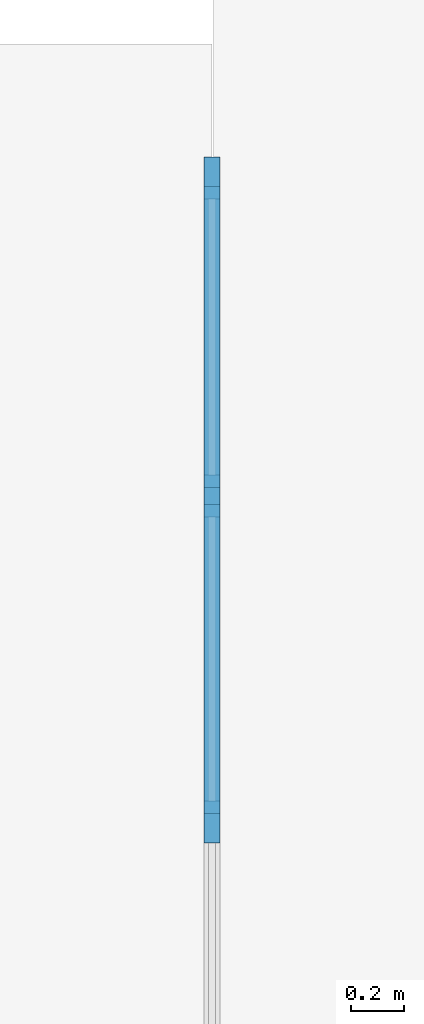
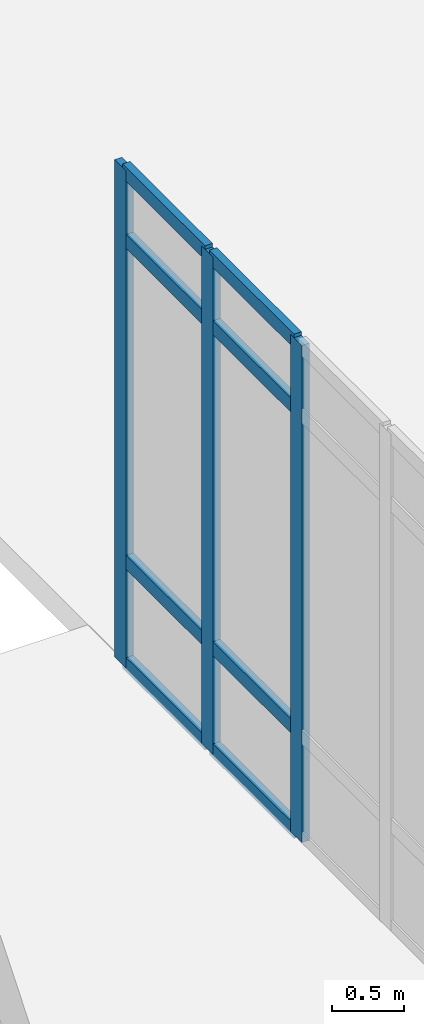
# One storey, part 25 of 101: 11 members, 1 element without a shape of its own.
"""IFC4 building model written with IfcOpenShell, lengths in metres."""

import ifcopenshell
import ifcopenshell.guid

model = None  # the IFC model being written
_history = None  # IfcOwnerHistory: only IFC2X3 demands one
_inside = {}  # id of a spatial element -> (the spatial element, [elements in it])
_under = {}  # id of a project, library or spatial element -> (it, [spatial elements below it])
_declared = {}  # id of a project -> (the project, [libraries it declares])
_typed = {}  # id of a type object -> (the type object, [elements of that type])
_made_of = {}  # id of a material, layer set ... -> (it, [elements and type objects made of it])


def new_model(schema):
    """Start an empty IFC model of exactly this schema.

    Asked for "IFC4X3", IfcOpenShell would pick the latest addendum, in which some entities
    have other attributes; the version numbers below select the first issue.
    IFC2X3 requires an IfcOwnerHistory on every rooted entity: one is made here for all.
    """
    global model, _history
    if schema == "IFC4X3":
        model = ifcopenshell.file(schema_version=(4, 3, 0, 0))
    else:
        model = ifcopenshell.file(schema=schema)
    _inside.clear()
    _under.clear()
    _declared.clear()
    _typed.clear()
    _made_of.clear()
    _history = None
    if model.schema == "IFC2X3":
        org = make("IfcOrganization", Name="unknown")
        user = make(
            "IfcPersonAndOrganization",
            ThePerson=make("IfcPerson", FamilyName="unknown"),
            TheOrganization=org,
        )
        app = make(
            "IfcApplication",
            ApplicationDeveloper=org,
            Version="unknown",
            ApplicationFullName="unknown",
            ApplicationIdentifier="unknown",
        )
        _history = make(
            "IfcOwnerHistory",
            OwningUser=user,
            OwningApplication=app,
            ChangeAction="ADDED",
            CreationDate=0,
        )
    return model


def make(cls, **values):
    """One entity of the class cls with the attributes given. An attribute that is None is left unset."""
    return model.create_entity(
        cls, **{name: value for name, value in values.items() if value is not None}
    )


def rooted(cls, **values):
    """An entity with a GlobalId (a new one), such as an element, a storey or a relation."""
    return make(cls, GlobalId=ifcopenshell.guid.new(), OwnerHistory=_history, **values)


def si_unit(unit_type, name, prefix=None):
    """IfcSIUnit, for example si_unit("LENGTHUNIT", "METRE", prefix="MILLI")."""
    return make("IfcSIUnit", UnitType=unit_type, Prefix=prefix, Name=name)


def derived_unit(unit_type, elements):
    """IfcDerivedUnit: a product of units, each with its exponent."""
    return make(
        "IfcDerivedUnit",
        Elements=[
            make("IfcDerivedUnitElement", Unit=unit, Exponent=power)
            for unit, power in elements
        ],
        UnitType=unit_type,
    )


def assignment(units):
    """IfcUnitAssignment: the units of a project."""
    return None if units is None else make("IfcUnitAssignment", Units=units)


def point(xyz):
    """IfcCartesianPoint."""
    return None if xyz is None else make("IfcCartesianPoint", Coordinates=xyz)


def direction(xyz):
    """IfcDirection."""
    return None if xyz is None else make("IfcDirection", DirectionRatios=xyz)


def frame(location, z_axis=None, x_axis=None):
    """IfcAxis2Placement3D, a coordinate frame: its origin and axes. An axis left out is left unset."""
    return make(
        "IfcAxis2Placement3D",
        Location=point(location),
        Axis=direction(z_axis),
        RefDirection=direction(x_axis),
    )


def frame_2d(location, x_axis=None):
    """IfcAxis2Placement2D, a coordinate frame in the plane: its origin and x axis."""
    return make(
        "IfcAxis2Placement2D", Location=point(location), RefDirection=direction(x_axis)
    )


def origin():
    """The frame at (0, 0, 0) with its axes left unset."""
    return frame((0.0, 0.0, 0.0))


def origin_2d():
    """The frame at (0, 0) in the plane with its x axis left unset."""
    return frame_2d((0.0, 0.0))


def place(relative_to, where):
    """IfcLocalPlacement: puts the frame where relative to a parent placement (None: the world)."""
    return make(
        "IfcLocalPlacement", PlacementRelTo=relative_to, RelativePlacement=where
    )


def context(
    kind, dimensions, precision=None, world=None, true_north=None, identifier=None
):
    """IfcGeometricRepresentationContext, for example the 3D "Model" context."""
    return make(
        "IfcGeometricRepresentationContext",
        ContextIdentifier=identifier,
        ContextType=kind,
        CoordinateSpaceDimension=dimensions,
        Precision=precision,
        WorldCoordinateSystem=world,
        TrueNorth=true_north,
    )


def subcontext(parent, identifier, kind, view, scale=None):
    """IfcGeometricRepresentationSubContext, for example "Body" below "Model"."""
    return make(
        "IfcGeometricRepresentationSubContext",
        ContextIdentifier=identifier,
        ContextType=kind,
        ParentContext=parent,
        TargetScale=scale,
        TargetView=view,
    )


def project(units=None, contexts=None):
    """IfcProject with its units and contexts."""
    return rooted(
        "IfcProject",
        Name="project",
        RepresentationContexts=contexts,
        UnitsInContext=assignment(units),
    )


def spatial(cls, under=None, at=None, **own):
    """A site, building, storey or space (cls), placed at a placement, below another one or the project."""
    s = rooted(cls, ObjectPlacement=at, **own)
    if under is not None:
        _under.setdefault(under.id(), (under, []))[1].append(s)
    return s


def profile(cls, at=None, kind="AREA", **sizes):
    """A parametric profile (cls). Its sizes go by their IFC names, for example OverallWidth=200.0."""
    return make(cls, ProfileType=kind, Position=at, **sizes)


def rectangle(**sizes):
    """IfcRectangleProfileDef."""
    return profile("IfcRectangleProfileDef", **sizes)


def extrude(swept, where, along, depth):
    """IfcExtrudedAreaSolid: the profile swept, set in the frame where, extruded along a direction by depth."""
    return make(
        "IfcExtrudedAreaSolid",
        SweptArea=swept,
        Position=where,
        ExtrudedDirection=direction(along),
        Depth=depth,
    )


def shape(context_of_items, identifier, shape_type, items):
    """IfcShapeRepresentation: the items that make up one representation, for example the "Body"."""
    return make(
        "IfcShapeRepresentation",
        ContextOfItems=context_of_items,
        RepresentationIdentifier=identifier,
        RepresentationType=shape_type,
        Items=items,
    )


def material(Name=None, Category=None):
    """IfcMaterial."""
    return make("IfcMaterial", Name=Name, Category=Category)


def layer(
    of_material, thickness, ventilated=None, Name=None, Category=None, Priority=None
):
    """IfcMaterialLayer: one layer of a wall or slab, of a material (None: an air gap)."""
    return make(
        "IfcMaterialLayer",
        Material=of_material,
        LayerThickness=thickness,
        IsVentilated=ventilated,
        Name=Name,
        Category=Category,
        Priority=Priority,
    )


def layer_set(layers, Name=None):
    """IfcMaterialLayerSet."""
    return make("IfcMaterialLayerSet", MaterialLayers=layers, LayerSetName=Name)


def material_profile(
    of_material, cross_section, Name=None, Category=None, Priority=None
):
    """IfcMaterialProfile: a cross section and its material."""
    return make(
        "IfcMaterialProfile",
        Name=Name,
        Material=of_material,
        Profile=cross_section,
        Priority=Priority,
        Category=Category,
    )


def profile_set(profiles, Name=None, composite=None):
    """IfcMaterialProfileSet."""
    return make(
        "IfcMaterialProfileSet",
        Name=Name,
        MaterialProfiles=profiles,
        CompositeProfile=composite,
    )


def made_of(thing, what):
    """Note that an element or type object is made of a material, layer set ...; save() writes the relation."""
    if what is not None:
        _made_of.setdefault(what.id(), (what, []))[1].append(thing)
    return thing


def type_object(cls, material=None, **own):
    """A type object (cls), such as IfcWallType, which elements share."""
    return made_of(rooted(cls, **own), material)


def element(
    cls,
    number,
    at=None,
    inside=None,
    cuts=None,
    type_object=None,
    material=None,
    context=None,
    identifier="Body",
    shape_type=None,
    held_by="IfcProductDefinitionShape",
    body=None,
    shapes=None,
    **own,
):
    """One element of the class cls, such as IfcWall. Its Tag is "e" and its number.

    at: its placement. inside: the storey or other place that contains it. cuts: it is an
    opening in that element (IfcRelVoidsElement). A single representation is given by context,
    identifier, shape_type and body (its items); several are given by shapes. held_by: the class
    of the entity that holds the representations. save() writes the other relations.
    """
    e = rooted(cls, Tag="e%d" % number, ObjectPlacement=at, **own)
    if body is not None:
        shapes = [shape(context, identifier, shape_type, body)]
    if shapes is not None:
        e.Representation = make(held_by, Representations=shapes)
    if inside is not None:
        _inside.setdefault(inside.id(), (inside, []))[1].append(e)
    if cuts is not None:
        rooted(
            "IfcRelVoidsElement", RelatingBuildingElement=cuts, RelatedOpeningElement=e
        )
    if type_object is not None:
        _typed.setdefault(type_object.id(), (type_object, []))[1].append(e)
    return made_of(e, material)


def aggregate(whole, parts):
    """IfcRelAggregates: a whole, such as a stair, and the parts it consists of."""
    return rooted("IfcRelAggregates", RelatingObject=whole, RelatedObjects=parts)


def save(model, path):
    """Write the relations noted so far, then the file.

    IfcRelAggregates (storeys below a building ...), IfcRelContainedInSpatialStructure (elements
    in a storey), IfcRelDefinesByType, IfcRelAssociatesMaterial and IfcRelDeclares: one each for
    every whole, place, type object, material and project.
    """
    for whole, parts in _under.values():
        aggregate(whole, parts)
    for where, things in _inside.values():
        rooted(
            "IfcRelContainedInSpatialStructure",
            RelatedElements=things,
            RelatingStructure=where,
        )
    for kind, things in _typed.values():
        rooted("IfcRelDefinesByType", RelatedObjects=things, RelatingType=kind)
    for what, things in _made_of.values():
        rooted("IfcRelAssociatesMaterial", RelatedObjects=things, RelatingMaterial=what)
    for by, libraries in _declared.values():
        rooted("IfcRelDeclares", RelatingContext=by, RelatedDefinitions=libraries)
    model.write(path)


model = new_model("IFC4")

# Units and contexts
model_context = context("Model", 3, precision=1e-05, world=origin(), true_north=direction((0.0, 1.0)))
body_context = subcontext(model_context, "Body", "Model", "MODEL_VIEW")
ifc_project = project(units=[si_unit("LENGTHUNIT", "METRE"), si_unit("AREAUNIT", "SQUARE_METRE"), si_unit("VOLUMEUNIT", "CUBIC_METRE"), si_unit("PLANEANGLEUNIT", "RADIAN"), si_unit("MASSUNIT", "GRAM", prefix="KILO"), derived_unit("THERMALTRANSMITTANCEUNIT", [(si_unit("POWERUNIT", "WATT"), 1), (si_unit("AREAUNIT", "SQUARE_METRE"), -1), (si_unit("THERMODYNAMICTEMPERATUREUNIT", "KELVIN"), -1)])], contexts=[model_context])

# Site, building, storey
site_placement = place(None, origin())
site = spatial("IfcSite", under=ifc_project, at=site_placement, CompositionType="ELEMENT")
building_placement = place(site_placement, origin())
building = spatial("IfcBuilding", under=site, at=building_placement, Name="Yasenodar Specialist Clinic", CompositionType="ELEMENT")
storey_placement = place(building_placement, origin())
storey = spatial("IfcBuildingStorey", under=building, at=storey_placement, Name="L00", CompositionType="ELEMENT", Elevation=0.0)

# Curtain wall, members
ifc_material_1 = material(Name="Bronze Anodized Aluminium and Triple Low-E Glass", Category="aluminium")
ifc_layer = layer(ifc_material_1, 0.202880859375)
ifc_layer_set = layer_set([ifc_layer], Name="Bronze Anodized Aluminium and Triple Low-E Glass")
curtain_wall_type = type_object("IfcCurtainWallType", Name="CW-SYS-04", PredefinedType="USERDEFINED", material=ifc_layer_set)
curtain_wall_placement = place(storey_placement, origin())
curtain_wall = element("IfcCurtainWall", 1, at=curtain_wall_placement, inside=storey, type_object=curtain_wall_type, Name="L00 Unitised Curtain Wall 072", ObjectType="UNITISED CURTAIN WALL", PredefinedType="USERDEFINED")
ifc_material_2 = material(Name="Bronze Anodized Aluminium", Category="aluminium")
ifc_material_profile_1 = material_profile(ifc_material_2, rectangle(XDim=0.06005859375, YDim=0.159912109375, at=origin_2d()), Name="CW-MULL 60x160")
ifc_profile_set_1 = profile_set([ifc_material_profile_1], Name="Bronze Anodized Aluminium")
member_type_1 = type_object("IfcMemberType", Name="CW-MULL-160", PredefinedType="MULLION", material=ifc_profile_set_1)
member_1_placement = place(storey_placement, frame((41.39990234375, 24.68994140625, 0.0), z_axis=(0.0, 0.0, 1.0), x_axis=(1.0, 0.0, 0.0)))
member_1 = element("IfcMember", 2, at=member_1_placement, type_object=member_type_1, Name="CW-04 mullion 1", PredefinedType="MULLION", context=body_context, shape_type="SweptSolid", body=[
    extrude(rectangle(XDim=0.06005859375, YDim=0.159912109375, at=origin_2d()), origin(), (0.0, 0.0, 1.0), 4.22998046875),
])
member_2_placement = place(storey_placement, frame((41.39990234375, 23.47998046875, 0.0), z_axis=(0.0, 0.0, 1.0), x_axis=(1.0, 0.0, 0.0)))
member_2 = element("IfcMember", 3, at=member_2_placement, type_object=member_type_1, Name="CW-04 mullion 2", PredefinedType="MULLION", context=body_context, shape_type="SweptSolid", body=[
    extrude(rectangle(XDim=0.06005859375, YDim=0.159912109375, at=origin_2d()), origin(), (0.0, 0.0, 1.0), 4.22998046875),
])
member_3_placement = place(storey_placement, frame((41.39990234375, 22.239990234375, 0.0), z_axis=(0.0, 0.0, 1.0), x_axis=(1.0, 0.0, 0.0)))
member_3 = element("IfcMember", 4, at=member_3_placement, type_object=member_type_1, Name="CW-04 mullion 3", PredefinedType="MULLION", context=body_context, shape_type="SweptSolid", body=[
    extrude(rectangle(XDim=0.06005859375, YDim=0.159912109375, at=origin_2d()), origin(), (0.0, 0.0, 1.0), 4.22998046875),
])
ifc_material_profile_2 = material_profile(ifc_material_2, rectangle(XDim=0.06005859375, YDim=0.1201171875, at=origin_2d()), Name="CW-TRAN 60x120")
ifc_profile_set_2 = profile_set([ifc_material_profile_2], Name="Bronze Anodized Aluminium")
member_type_2 = type_object("IfcMemberType", Name="CW-TRAN-120", PredefinedType="USERDEFINED", material=ifc_profile_set_2)
member_4_placement = place(storey_placement, frame((41.39990234375, 24.659912109375, 0.030029296875), z_axis=(0.0, -1.0, 0.0), x_axis=(1.0, 0.0, 0.0)))
member_4 = element("IfcMember", 5, at=member_4_placement, type_object=member_type_2, Name="CW-04 transom 1.1", ObjectType="TRANSOM", PredefinedType="USERDEFINED", context=body_context, shape_type="SweptSolid", body=[
    extrude(rectangle(XDim=0.06005859375, YDim=0.1201171875, at=origin_2d()), origin(), (0.0, 0.0, 1.0), 1.14990234375),
])
member_5_placement = place(storey_placement, frame((41.39990234375, 24.659912109375, 0.89990234375), z_axis=(0.0, -1.0, 0.0), x_axis=(1.0, 0.0, 0.0)))
member_5 = element("IfcMember", 6, at=member_5_placement, type_object=member_type_2, Name="CW-04 transom 1.2", ObjectType="TRANSOM", PredefinedType="USERDEFINED", context=body_context, shape_type="SweptSolid", body=[
    extrude(rectangle(XDim=0.06005859375, YDim=0.1201171875, at=origin_2d()), origin(), (0.0, 0.0, 1.0), 1.14990234375),
])
member_6_placement = place(storey_placement, frame((41.39990234375, 24.659912109375, 3.6298828125), z_axis=(0.0, -1.0, 0.0), x_axis=(1.0, 0.0, 0.0)))
member_6 = element("IfcMember", 7, at=member_6_placement, type_object=member_type_2, Name="CW-04 transom 1.3", ObjectType="TRANSOM", PredefinedType="USERDEFINED", context=body_context, shape_type="SweptSolid", body=[
    extrude(rectangle(XDim=0.06005859375, YDim=0.1201171875, at=origin_2d()), origin(), (0.0, 0.0, 1.0), 1.14990234375),
])
member_7_placement = place(storey_placement, frame((41.39990234375, 24.659912109375, 4.199951171875), z_axis=(0.0, -1.0, 0.0), x_axis=(1.0, 0.0, 0.0)))
member_7 = element("IfcMember", 8, at=member_7_placement, type_object=member_type_2, Name="CW-04 transom 1.4", ObjectType="TRANSOM", PredefinedType="USERDEFINED", context=body_context, shape_type="SweptSolid", body=[
    extrude(rectangle(XDim=0.06005859375, YDim=0.1201171875, at=origin_2d()), origin(), (0.0, 0.0, 1.0), 1.14990234375),
])
member_8_placement = place(storey_placement, frame((41.39990234375, 23.449951171875, 0.030029296875), z_axis=(0.0, -1.0, 0.0), x_axis=(1.0, 0.0, 0.0)))
member_8 = element("IfcMember", 9, at=member_8_placement, type_object=member_type_2, Name="CW-04 transom 2.1", ObjectType="TRANSOM", PredefinedType="USERDEFINED", context=body_context, shape_type="SweptSolid", body=[
    extrude(rectangle(XDim=0.06005859375, YDim=0.1201171875, at=origin_2d()), origin(), (0.0, 0.0, 1.0), 1.179931640625),
])
member_9_placement = place(storey_placement, frame((41.39990234375, 23.449951171875, 0.89990234375), z_axis=(0.0, -1.0, 0.0), x_axis=(1.0, 0.0, 0.0)))
member_9 = element("IfcMember", 10, at=member_9_placement, type_object=member_type_2, Name="CW-04 transom 2.2", ObjectType="TRANSOM", PredefinedType="USERDEFINED", context=body_context, shape_type="SweptSolid", body=[
    extrude(rectangle(XDim=0.06005859375, YDim=0.1201171875, at=origin_2d()), origin(), (0.0, 0.0, 1.0), 1.179931640625),
])
member_10_placement = place(storey_placement, frame((41.39990234375, 23.449951171875, 3.6298828125), z_axis=(0.0, -1.0, 0.0), x_axis=(1.0, 0.0, 0.0)))
member_10 = element("IfcMember", 11, at=member_10_placement, type_object=member_type_2, Name="CW-04 transom 2.3", ObjectType="TRANSOM", PredefinedType="USERDEFINED", context=body_context, shape_type="SweptSolid", body=[
    extrude(rectangle(XDim=0.06005859375, YDim=0.1201171875, at=origin_2d()), origin(), (0.0, 0.0, 1.0), 1.179931640625),
])
member_11_placement = place(storey_placement, frame((41.39990234375, 23.449951171875, 4.199951171875), z_axis=(0.0, -1.0, 0.0), x_axis=(1.0, 0.0, 0.0)))
member_11 = element("IfcMember", 12, at=member_11_placement, type_object=member_type_2, Name="CW-04 transom 2.4", ObjectType="TRANSOM", PredefinedType="USERDEFINED", context=body_context, shape_type="SweptSolid", body=[
    extrude(rectangle(XDim=0.06005859375, YDim=0.1201171875, at=origin_2d()), origin(), (0.0, 0.0, 1.0), 1.179931640625),
])
aggregate(curtain_wall, [member_1, member_2, member_3, member_4, member_5, member_6, member_7, member_8, member_9, member_10, member_11])

save(model, "model.ifc")
